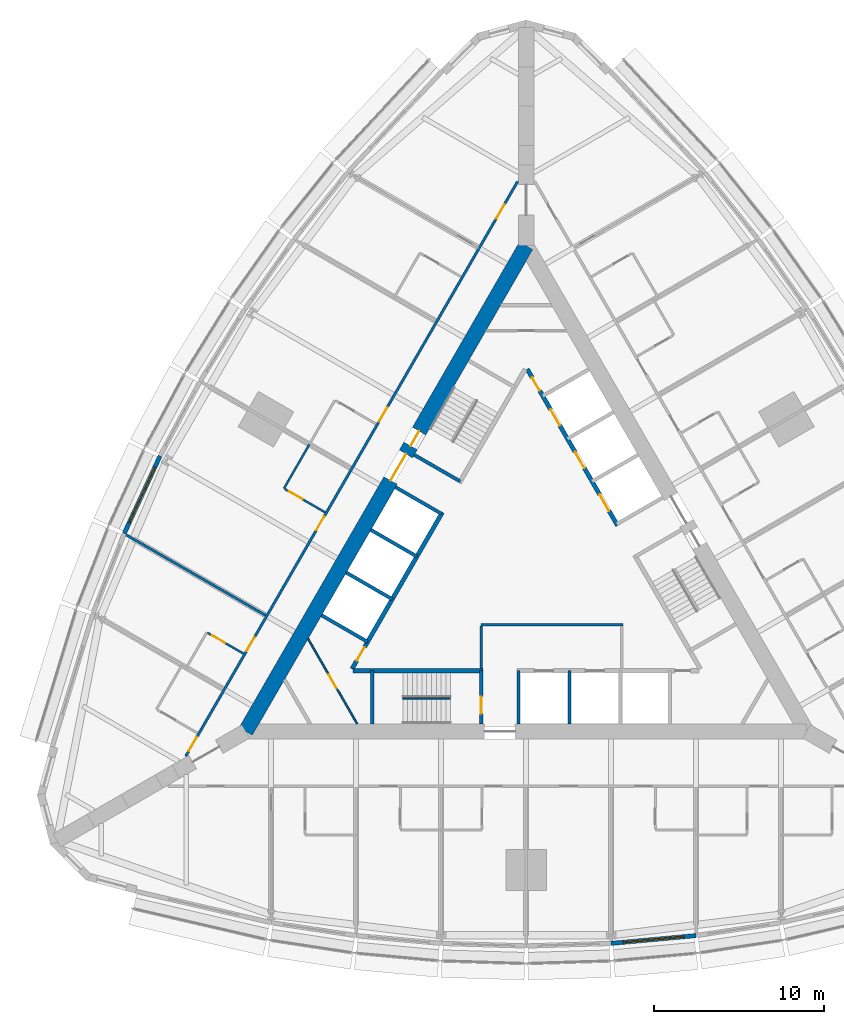
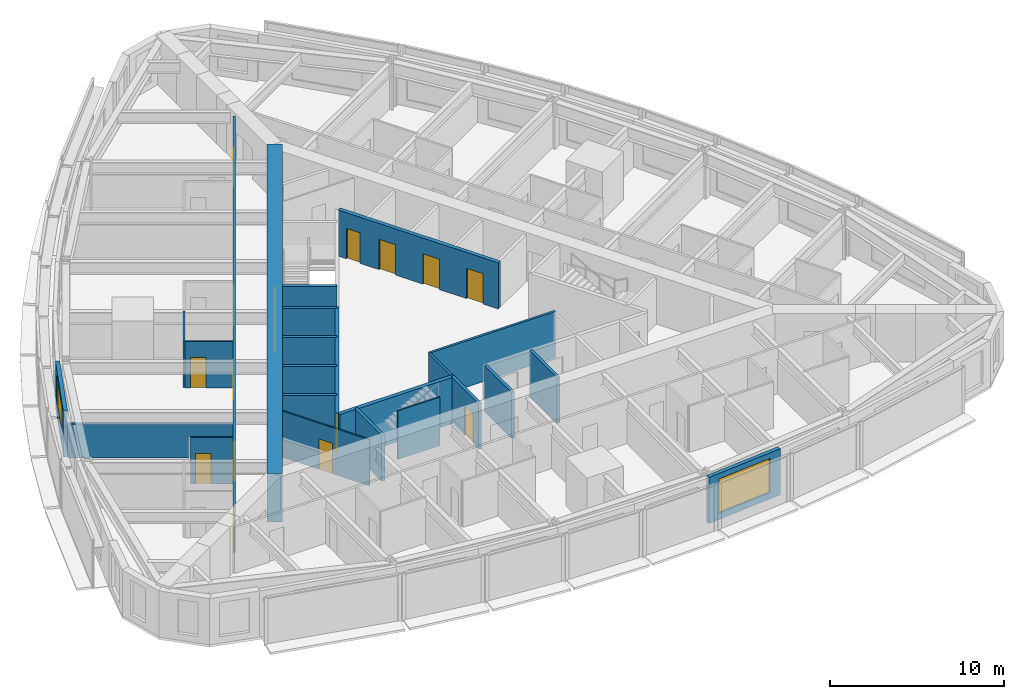
# One storey, part 9 of 14: 24 walls, 16 doors, 2 windows, 18 openings.
"""IFC4 building model written with IfcOpenShell, lengths in metres."""

from ifc_helpers import new_model, si_unit, direction, frame, frame_2d, origin, place, context, subcontext, project, spatial, rectangle, extrude, material, layer, layer_set, type_object, element, fill, save


model = new_model("IFC4")

# Units and contexts
model_context = context("Model", 3, precision=1e-05, world=origin(), true_north=direction((0.0, 1.0)))
body_context = subcontext(model_context, "Body", "Model", "MODEL_VIEW")
ifc_project = project(units=[si_unit("LENGTHUNIT", "METRE"), si_unit("AREAUNIT", "SQUARE_METRE"), si_unit("VOLUMEUNIT", "CUBIC_METRE"), si_unit("PLANEANGLEUNIT", "RADIAN"), si_unit("MASSUNIT", "GRAM", prefix="KILO")], contexts=[model_context])

# Site, building, storey
site_placement = place(None, origin())
site = spatial("IfcSite", under=ifc_project, at=site_placement, CompositionType="ELEMENT")
building_placement = place(site_placement, origin())
building = spatial("IfcBuilding", under=site, at=building_placement, Name="Trikona Tower", CompositionType="ELEMENT")
storey_placement = place(building_placement, frame((0.0, 0.0, 28.5)))
storey = spatial("IfcBuildingStorey", under=building, at=storey_placement, Name="L05", CompositionType="ELEMENT", Elevation=28.5)

# Wall
ifc_material_1 = material(Name="Metal stud and cement board", Category="gypsum")
ifc_layer_1 = layer(ifc_material_1, 0.1201171875)
ifc_layer_set_1 = layer_set([ifc_layer_1], Name="Bathroom wall 120")
wall_type_1 = type_object("IfcWallType", Name="Bathroom wall 120", PredefinedType="PLUMBINGWALL", material=ifc_layer_set_1)
wall_1_placement = place(storey_placement, frame((-12.75341796875, 7.363037109375, 0.0), z_axis=(0.0, 0.0, 1.0), x_axis=(-0.50002537861, -0.866010750942, 0.0)))
element("IfcWall", 1, at=wall_1_placement, inside=storey, type_object=wall_type_1, Name="Bathroom wall 0516", PredefinedType="PLUMBINGWALL", context=body_context, shape_type="SweptSolid", body=[
    extrude(rectangle(XDim=2.999755859375, YDim=0.1201171875, at=frame_2d((1.5, 0.0))), origin(), (0.0, 0.0, 1.0), 3.235107421875),
])

# Wall, opening, door
wall_2_placement = place(storey_placement, frame((-11.82861328125, 3.364990234375, 0.0), z_axis=(0.0, 0.0, 1.0), x_axis=(-0.865997131366, 0.500048966069, 0.0)))
wall_2 = element("IfcWall", 2, at=wall_2_placement, inside=storey, type_object=wall_type_1, Name="Bathroom wall 0516", PredefinedType="PLUMBINGWALL", context=body_context, shape_type="SweptSolid", body=[
    extrude(rectangle(XDim=2.739990234375, YDim=0.1201171875, at=frame_2d((1.3701171875, 0.0))), origin(), (0.0, 0.0, 1.0), 3.235107421875),
])
opening_1_placement = place(wall_2_placement, frame((1.550048828125, 0.0, 0.0)))
opening_1 = element("IfcOpeningElement", 3, at=opening_1_placement, cuts=wall_2, Name="Opening D2", PredefinedType="OPENING", context=body_context, shape_type="SweptSolid", body=[
    extrude(rectangle(XDim=0.89990234375, YDim=2.1298828125, at=frame_2d((0.449951171875, 1.06494140625))), frame((0.0, 0.070068359375, 0.0), z_axis=(0.0, -1.0, 0.0), x_axis=(1.0, 0.0, 0.0)), (0.0, 0.0, 1.0), 0.14013671875),
])
ifc_material_2 = material(Name="Steel door frame with solid-core timber leaf", Category="steel")
door_type_1 = type_object("IfcDoorType", Name="Bathroom door 900x2130", OperationType="SLIDING_TO_LEFT", PredefinedType="DOOR", material=ifc_material_2)
door_1_placement = place(opening_1_placement, origin())
door_1 = element("IfcDoor", 4, at=door_1_placement, inside=storey, type_object=door_type_1, Name="Bathroom door 0516", OperationType="SLIDING_TO_LEFT", OverallHeight=2.1298828125, OverallWidth=0.89990234375, PredefinedType="DOOR", context=body_context, shape_type="SweptSolid", body=[
    extrude(rectangle(XDim=0.89990234375, YDim=2.1298828125, at=frame_2d((0.449951171875, 1.06494140625))), frame((0.0, 0.02490234375, 0.0), z_axis=(0.0, -1.0, 0.0), x_axis=(1.0, 0.0, 0.0)), (0.0, 0.0, 1.0), 0.050048828125),
])
fill(opening_1, door_1)

wall_3_placement = place(storey_placement, frame((-16.62841796875, -4.94873046875, 0.0), z_axis=(0.0, 0.0, 1.0), x_axis=(-0.866048967903, 0.499959183527, 0.0)))
wall_3 = element("IfcWall", 5, at=wall_3_placement, inside=storey, type_object=wall_type_1, Name="Bathroom wall 0517", PredefinedType="PLUMBINGWALL", context=body_context, shape_type="SweptSolid", body=[
    extrude(rectangle(XDim=2.440185546875, YDim=0.1201171875, at=frame_2d((1.22021484375, 0.0))), origin(), (0.0, 0.0, 1.0), 3.235107421875),
])
opening_2_placement = place(wall_3_placement, frame((1.25, 0.0, 0.0)))
opening_2 = element("IfcOpeningElement", 6, at=opening_2_placement, cuts=wall_3, Name="Opening D2", PredefinedType="OPENING", context=body_context, shape_type="SweptSolid", body=[
    extrude(rectangle(XDim=0.89990234375, YDim=2.1298828125, at=frame_2d((0.449951171875, 1.06494140625))), frame((0.0, 0.070068359375, 0.0), z_axis=(0.0, -1.0, 0.0), x_axis=(1.0, 0.0, 0.0)), (0.0, 0.0, 1.0), 0.14013671875),
])
door_2_placement = place(opening_2_placement, origin())
door_2 = element("IfcDoor", 7, at=door_2_placement, inside=storey, type_object=door_type_1, Name="Bathroom door 0517", OperationType="SLIDING_TO_LEFT", OverallHeight=2.1298828125, OverallWidth=0.89990234375, PredefinedType="DOOR", context=body_context, shape_type="SweptSolid", body=[
    extrude(rectangle(XDim=0.89990234375, YDim=2.1298828125, at=frame_2d((0.449951171875, 1.06494140625))), frame((0.0, 0.02490234375, 0.0), z_axis=(0.0, -1.0, 0.0), x_axis=(1.0, 0.0, 0.0)), (0.0, 0.0, 1.0), 0.050048828125),
])
fill(opening_2, door_2)

# Wall, openings, doors
ifc_material_3 = material(Name="Concrete f'c 10000 psi", Category="concrete")
ifc_layer_2 = layer(ifc_material_3, 0.89990234375)
ifc_layer_set_2 = layer_set([ifc_layer_2], Name="Core wall 900")
wall_type_2 = type_object("IfcWallType", Name="Core wall 900", PredefinedType="SHEAR", material=ifc_layer_set_2)
wall_4_placement = place(storey_placement, frame((0.0, 19.052490234375, 0.0), z_axis=(0.0, 0.0, 1.0), x_axis=(-0.499999749417, -0.866025548458, 0.0)))
wall_4 = element("IfcWall", 8, at=wall_4_placement, inside=storey, type_object=wall_type_2, Name="Core wall C", PredefinedType="SHEAR", context=body_context, shape_type="SweptSolid", body=[
    extrude(rectangle(XDim=33.0, YDim=0.89990234375, at=frame_2d((16.5, 0.0))), origin(), (0.0, 0.0, 1.0), 3.39990234375),
])
opening_3_placement = place(wall_4_placement, frame((14.14990234375, 0.0, 0.0)))
opening_3 = element("IfcOpeningElement", 9, at=opening_3_placement, cuts=wall_4, Name="Opening D6", PredefinedType="OPENING", context=body_context, shape_type="SweptSolid", body=[
    extrude(rectangle(XDim=1.800048828125, YDim=2.1298828125, at=frame_2d((0.89990234375, 1.06494140625))), frame((0.0, 0.4599609375, 0.0), z_axis=(0.0, -1.0, 0.0), x_axis=(1.0, 0.0, 0.0)), (0.0, 0.0, 1.0), 0.919921875),
])
opening_4_placement = place(wall_4_placement, frame((12.60009765625, 0.0, 0.0)))
opening_4 = element("IfcOpeningElement", 10, at=opening_4_placement, cuts=wall_4, Name="Opening D5", PredefinedType="OPENING", context=body_context, shape_type="SweptSolid", body=[
    extrude(rectangle(XDim=1.0, YDim=2.1298828125, at=frame_2d((0.5, 1.06494140625))), frame((0.0, 0.4599609375, 0.0), z_axis=(0.0, -1.0, 0.0), x_axis=(1.0, 0.0, 0.0)), (0.0, 0.0, 1.0), 0.919921875),
])
ifc_material_4 = material(Name="Hollow metal door and frame", Category="steel")
door_type_2 = type_object("IfcDoorType", Name="Lobby door pair 1800x2130", OperationType="DOUBLE_DOOR_SINGLE_SWING", PredefinedType="DOOR", material=ifc_material_4)
door_3_placement = place(opening_3_placement, origin())
door_3 = element("IfcDoor", 11, at=door_3_placement, inside=storey, type_object=door_type_2, Name="Lift lobby door C", OperationType="DOUBLE_DOOR_SINGLE_SWING", OverallHeight=2.1298828125, OverallWidth=1.800048828125, PredefinedType="DOOR", context=body_context, shape_type="SweptSolid", body=[
    extrude(rectangle(XDim=1.800048828125, YDim=2.1298828125, at=frame_2d((0.89990234375, 1.06494140625))), frame((0.0, 0.02490234375, 0.0), z_axis=(0.0, -1.0, 0.0), x_axis=(1.0, 0.0, 0.0)), (0.0, 0.0, 1.0), 0.050048828125),
])
fill(opening_3, door_3)
ifc_material_5 = material(Name="Hollow metal door and frame", Category="steel")
door_type_3 = type_object("IfcDoorType", Name="Stair door 1000x2130", OperationType="SINGLE_SWING_LEFT", PredefinedType="DOOR", material=ifc_material_5)
door_4_placement = place(opening_4_placement, origin())
door_4 = element("IfcDoor", 12, at=door_4_placement, inside=storey, type_object=door_type_3, Name="Stair C door", OperationType="SINGLE_SWING_RIGHT", OverallHeight=2.1298828125, OverallWidth=1.0, PredefinedType="DOOR", context=body_context, shape_type="SweptSolid", body=[
    extrude(rectangle(XDim=1.0, YDim=2.1298828125, at=frame_2d((0.5, 1.06494140625))), frame((0.0, 0.02490234375, 0.0), z_axis=(0.0, -1.0, 0.0), x_axis=(1.0, 0.0, 0.0)), (0.0, 0.0, 1.0), 0.050048828125),
])
fill(opening_4, door_4)

ifc_material_6 = material(Name="Metal stud and gypsum board, 1-hour", Category="gypsum")
ifc_layer_3 = layer(ifc_material_6, 0.14990234375)
ifc_layer_set_3 = layer_set([ifc_layer_3], Name="Corridor wall 150")
wall_type_3 = type_object("IfcWallType", Name="Corridor wall 150", PredefinedType="PARTITIONING", material=ifc_layer_set_3)
wall_5_placement = place(storey_placement, frame((-0.5, 22.83642578125, 0.0), z_axis=(0.0, 0.0, 1.0), x_axis=(-0.500001677587, -0.866024435227, 0.0)))
wall_5 = element("IfcWall", 13, at=wall_5_placement, inside=storey, type_object=wall_type_3, Name="Corridor wall L05-3", PredefinedType="PARTITIONING", context=body_context, shape_type="SweptSolid", body=[
    extrude(rectangle(XDim=39.053955078125, YDim=0.14990234375, at=frame_2d((19.52685546875, 0.0))), origin(), (0.0, 0.0, 1.0), 3.235107421875),
])
opening_5_placement = place(wall_5_placement, frame((1.558349609375, 0.0, 0.0)))
opening_5 = element("IfcOpeningElement", 14, at=opening_5_placement, cuts=wall_5, Name="Opening D1", PredefinedType="OPENING", context=body_context, shape_type="SweptSolid", body=[
    extrude(rectangle(XDim=0.949951171875, YDim=2.1298828125, at=frame_2d((0.47509765625, 1.06494140625))), frame((0.0, 0.0849609375, 0.0), z_axis=(0.0, -1.0, 0.0), x_axis=(1.0, 0.0, 0.0)), (0.0, 0.0, 1.0), 0.169921875),
])
opening_6_placement = place(wall_5_placement, frame((15.35205078125, 0.0, 0.0)))
opening_6 = element("IfcOpeningElement", 15, at=opening_6_placement, cuts=wall_5, Name="Opening D1", PredefinedType="OPENING", context=body_context, shape_type="SweptSolid", body=[
    extrude(rectangle(XDim=0.949951171875, YDim=2.1298828125, at=frame_2d((0.47509765625, 1.06494140625))), frame((0.0, 0.0849609375, 0.0), z_axis=(0.0, -1.0, 0.0), x_axis=(1.0, 0.0, 0.0)), (0.0, 0.0, 1.0), 0.169921875),
])
opening_7_placement = place(wall_5_placement, frame((22.751953125, 0.0, 0.0)))
opening_7 = element("IfcOpeningElement", 16, at=opening_7_placement, cuts=wall_5, Name="Opening D1", PredefinedType="OPENING", context=body_context, shape_type="SweptSolid", body=[
    extrude(rectangle(XDim=0.949951171875, YDim=2.1298828125, at=frame_2d((0.47509765625, 1.06494140625))), frame((0.0, 0.0849609375, 0.0), z_axis=(0.0, -1.0, 0.0), x_axis=(1.0, 0.0, 0.0)), (0.0, 0.0, 1.0), 0.169921875),
])
opening_8_placement = place(wall_5_placement, frame((30.951904296875, 0.0, 0.0)))
opening_8 = element("IfcOpeningElement", 17, at=opening_8_placement, cuts=wall_5, Name="Opening D1", PredefinedType="OPENING", context=body_context, shape_type="SweptSolid", body=[
    extrude(rectangle(XDim=0.949951171875, YDim=2.1298828125, at=frame_2d((0.47509765625, 1.06494140625))), frame((0.0, 0.0849609375, 0.0), z_axis=(0.0, -1.0, 0.0), x_axis=(1.0, 0.0, 0.0)), (0.0, 0.0, 1.0), 0.169921875),
])
opening_9_placement = place(wall_5_placement, frame((37.751953125, 0.0, 0.0)))
opening_9 = element("IfcOpeningElement", 18, at=opening_9_placement, cuts=wall_5, Name="Opening D1", PredefinedType="OPENING", context=body_context, shape_type="SweptSolid", body=[
    extrude(rectangle(XDim=0.949951171875, YDim=2.1298828125, at=frame_2d((0.47509765625, 1.06494140625))), frame((0.0, 0.0849609375, 0.0), z_axis=(0.0, -1.0, 0.0), x_axis=(1.0, 0.0, 0.0)), (0.0, 0.0, 1.0), 0.169921875),
])
ifc_material_7 = material(Name="Steel door frame with solid-core timber leaf", Category="steel")
door_type_4 = type_object("IfcDoorType", Name="Guest room door 950x2130", OperationType="SINGLE_SWING_LEFT", PredefinedType="DOOR", material=ifc_material_7)
door_5_placement = place(opening_5_placement, origin())
door_5 = element("IfcDoor", 19, at=door_5_placement, inside=storey, type_object=door_type_4, Name="Room door 0514", OperationType="SINGLE_SWING_LEFT", OverallHeight=2.1298828125, OverallWidth=0.949951171875, PredefinedType="DOOR", context=body_context, shape_type="SweptSolid", body=[
    extrude(rectangle(XDim=0.949951171875, YDim=2.1298828125, at=frame_2d((0.47509765625, 1.06494140625))), frame((0.0, 0.02490234375, 0.0), z_axis=(0.0, -1.0, 0.0), x_axis=(1.0, 0.0, 0.0)), (0.0, 0.0, 1.0), 0.050048828125),
])
fill(opening_5, door_5)
door_6_placement = place(opening_6_placement, origin())
door_6 = element("IfcDoor", 20, at=door_6_placement, inside=storey, type_object=door_type_4, Name="Room door 0515", OperationType="SINGLE_SWING_RIGHT", OverallHeight=2.1298828125, OverallWidth=0.949951171875, PredefinedType="DOOR", context=body_context, shape_type="SweptSolid", body=[
    extrude(rectangle(XDim=0.949951171875, YDim=2.1298828125, at=frame_2d((0.47509765625, 1.06494140625))), frame((0.0, 0.02490234375, 0.0), z_axis=(0.0, -1.0, 0.0), x_axis=(1.0, 0.0, 0.0)), (0.0, 0.0, 1.0), 0.050048828125),
])
fill(opening_6, door_6)
door_7_placement = place(opening_7_placement, origin())
door_7 = element("IfcDoor", 21, at=door_7_placement, inside=storey, type_object=door_type_4, Name="Room door 0516", OperationType="SINGLE_SWING_LEFT", OverallHeight=2.1298828125, OverallWidth=0.949951171875, PredefinedType="DOOR", context=body_context, shape_type="SweptSolid", body=[
    extrude(rectangle(XDim=0.949951171875, YDim=2.1298828125, at=frame_2d((0.47509765625, 1.06494140625))), frame((0.0, 0.02490234375, 0.0), z_axis=(0.0, -1.0, 0.0), x_axis=(1.0, 0.0, 0.0)), (0.0, 0.0, 1.0), 0.050048828125),
])
fill(opening_7, door_7)
door_8_placement = place(opening_8_placement, origin())
door_8 = element("IfcDoor", 22, at=door_8_placement, inside=storey, type_object=door_type_4, Name="Room door 0517", OperationType="SINGLE_SWING_RIGHT", OverallHeight=2.1298828125, OverallWidth=0.949951171875, PredefinedType="DOOR", context=body_context, shape_type="SweptSolid", body=[
    extrude(rectangle(XDim=0.949951171875, YDim=2.1298828125, at=frame_2d((0.47509765625, 1.06494140625))), frame((0.0, 0.02490234375, 0.0), z_axis=(0.0, -1.0, 0.0), x_axis=(1.0, 0.0, 0.0)), (0.0, 0.0, 1.0), 0.050048828125),
])
fill(opening_8, door_8)
door_9_placement = place(opening_9_placement, origin())
door_9 = element("IfcDoor", 23, at=door_9_placement, inside=storey, type_object=door_type_4, Name="Room door 0518", OperationType="SINGLE_SWING_RIGHT", OverallHeight=2.1298828125, OverallWidth=0.949951171875, PredefinedType="DOOR", context=body_context, shape_type="SweptSolid", body=[
    extrude(rectangle(XDim=0.949951171875, YDim=2.1298828125, at=frame_2d((0.47509765625, 1.06494140625))), frame((0.0, 0.02490234375, 0.0), z_axis=(0.0, -1.0, 0.0), x_axis=(1.0, 0.0, 0.0)), (0.0, 0.0, 1.0), 0.050048828125),
])
fill(opening_9, door_9)

# Wall
ifc_material_8 = material(Name="Concrete f'c 8000 psi", Category="concrete")
ifc_layer_4 = layer(ifc_material_8, 0.25)
ifc_layer_set_4 = layer_set([ifc_layer_4], Name="Hub wall 250")
wall_type_4 = type_object("IfcWallType", Name="Hub wall 250", PredefinedType="SOLIDWALL", material=ifc_layer_set_4)
wall_6_placement = place(storey_placement, frame((-10.182861328125, -5.951416015625, 0.0), z_axis=(0.0, 0.0, 1.0), x_axis=(1.0, 0.0, 0.0)))
element("IfcWall", 24, at=wall_6_placement, inside=storey, type_object=wall_type_4, Name="Lift lobby wall A1", PredefinedType="SOLIDWALL", context=body_context, shape_type="SweptSolid", body=[
    extrude(rectangle(XDim=7.6328125, YDim=0.25, at=frame_2d((3.81640625, 0.0))), origin(), (0.0, 0.0, 1.0), 3.235107421875),
])

# Wall, openings, doors
wall_7_placement = place(storey_placement, frame((5.37890625, 2.5859375, 0.0), z_axis=(0.0, 0.0, 1.0), x_axis=(-0.500001375892, 0.866024609411, 0.0)))
wall_7 = element("IfcWall", 25, at=wall_7_placement, inside=storey, type_object=wall_type_4, Name="Lift lobby wall B2", PredefinedType="SOLIDWALL", context=body_context, shape_type="SweptSolid", body=[
    extrude(rectangle(XDim=10.6328125, YDim=0.25, at=frame_2d((5.31640625, 0.0))), origin(), (0.0, 0.0, 1.0), 3.235107421875),
])
opening_10_placement = place(wall_7_placement, frame((9.1640625, 0.0, 0.0)))
opening_10 = element("IfcOpeningElement", 26, at=opening_10_placement, cuts=wall_7, Name="Opening D14", PredefinedType="OPENING", context=body_context, shape_type="SweptSolid", body=[
    extrude(rectangle(XDim=0.89990234375, YDim=2.1298828125, at=frame_2d((0.449951171875, 1.06494140625))), frame((0.0, 0.135009765625, 0.0), z_axis=(0.0, -1.0, 0.0), x_axis=(1.0, 0.0, 0.0)), (0.0, 0.0, 1.0), 0.27001953125),
])
opening_11_placement = place(wall_7_placement, frame((1.0, 0.0, 0.0)))
opening_11 = element("IfcOpeningElement", 27, at=opening_11_placement, cuts=wall_7, Name="Opening LD", PredefinedType="OPENING", context=body_context, shape_type="SweptSolid", body=[
    extrude(rectangle(XDim=1.10009765625, YDim=2.1298828125, at=frame_2d((0.550048828125, 1.06494140625))), frame((0.0, 0.135009765625, 0.0), z_axis=(0.0, -1.0, 0.0), x_axis=(1.0, 0.0, 0.0)), (0.0, 0.0, 1.0), 0.27001953125),
])
opening_12_placement = place(wall_7_placement, frame((3.89990234375, 0.0, 0.0)))
opening_12 = element("IfcOpeningElement", 28, at=opening_12_placement, cuts=wall_7, Name="Opening LD", PredefinedType="OPENING", context=body_context, shape_type="SweptSolid", body=[
    extrude(rectangle(XDim=1.10009765625, YDim=2.1298828125, at=frame_2d((0.550048828125, 1.06494140625))), frame((0.0, 0.135009765625, 0.0), z_axis=(0.0, -1.0, 0.0), x_axis=(1.0, 0.0, 0.0)), (0.0, 0.0, 1.0), 0.27001953125),
])
opening_13_placement = place(wall_7_placement, frame((6.800048828125, 0.0, 0.0)))
opening_13 = element("IfcOpeningElement", 29, at=opening_13_placement, cuts=wall_7, Name="Opening LD", PredefinedType="OPENING", context=body_context, shape_type="SweptSolid", body=[
    extrude(rectangle(XDim=1.10009765625, YDim=2.1298828125, at=frame_2d((0.550048828125, 1.06494140625))), frame((0.0, 0.135009765625, 0.0), z_axis=(0.0, -1.0, 0.0), x_axis=(1.0, 0.0, 0.0)), (0.0, 0.0, 1.0), 0.27001953125),
])
ifc_material_9 = material(Name="Stainless steel lift landing door", Category="steel")
door_type_5 = type_object("IfcDoorType", Name="Lift landing door 1100x2130", OperationType="DOUBLE_DOOR_SLIDING", PredefinedType="USERDEFINED", material=ifc_material_9)
door_10_placement = place(opening_11_placement, origin())
door_10 = element("IfcDoor", 30, at=door_10_placement, inside=storey, type_object=door_type_5, Name="Lift landing door L1-1", ObjectType="LIFT LANDING DOOR", OperationType="DOUBLE_DOOR_SLIDING", OverallHeight=2.1298828125, OverallWidth=1.10009765625, PredefinedType="USERDEFINED", context=body_context, shape_type="SweptSolid", body=[
    extrude(rectangle(XDim=1.10009765625, YDim=2.1298828125, at=frame_2d((0.550048828125, 1.06494140625))), frame((0.0, 0.02490234375, 0.0), z_axis=(0.0, -1.0, 0.0), x_axis=(1.0, 0.0, 0.0)), (0.0, 0.0, 1.0), 0.050048828125),
])
fill(opening_11, door_10)
door_11_placement = place(opening_12_placement, origin())
door_11 = element("IfcDoor", 31, at=door_11_placement, inside=storey, type_object=door_type_5, Name="Lift landing door L1-2", ObjectType="LIFT LANDING DOOR", OperationType="DOUBLE_DOOR_SLIDING", OverallHeight=2.1298828125, OverallWidth=1.10009765625, PredefinedType="USERDEFINED", context=body_context, shape_type="SweptSolid", body=[
    extrude(rectangle(XDim=1.10009765625, YDim=2.1298828125, at=frame_2d((0.550048828125, 1.06494140625))), frame((0.0, 0.02490234375, 0.0), z_axis=(0.0, -1.0, 0.0), x_axis=(1.0, 0.0, 0.0)), (0.0, 0.0, 1.0), 0.050048828125),
])
fill(opening_12, door_11)
door_12_placement = place(opening_13_placement, origin())
door_12 = element("IfcDoor", 32, at=door_12_placement, inside=storey, type_object=door_type_5, Name="Lift landing door L1-3", ObjectType="LIFT LANDING DOOR", OperationType="DOUBLE_DOOR_SLIDING", OverallHeight=2.1298828125, OverallWidth=1.10009765625, PredefinedType="USERDEFINED", context=body_context, shape_type="SweptSolid", body=[
    extrude(rectangle(XDim=1.10009765625, YDim=2.1298828125, at=frame_2d((0.550048828125, 1.06494140625))), frame((0.0, 0.02490234375, 0.0), z_axis=(0.0, -1.0, 0.0), x_axis=(1.0, 0.0, 0.0)), (0.0, 0.0, 1.0), 0.050048828125),
])
fill(opening_13, door_12)
ifc_material_10 = material(Name="Hollow metal door and frame", Category="steel")
door_type_6 = type_object("IfcDoorType", Name="Service room door 900x2130", OperationType="SINGLE_SWING_LEFT", PredefinedType="DOOR", material=ifc_material_10)
door_13_placement = place(opening_10_placement, origin())
door_13 = element("IfcDoor", 33, at=door_13_placement, inside=storey, type_object=door_type_6, Name="Door Housekeeping store HKS", OperationType="SINGLE_SWING_RIGHT", OverallHeight=2.1298828125, OverallWidth=0.89990234375, PredefinedType="DOOR", context=body_context, shape_type="SweptSolid", body=[
    extrude(rectangle(XDim=0.89990234375, YDim=2.1298828125, at=frame_2d((0.449951171875, 1.06494140625))), frame((0.0, 0.02490234375, 0.0), z_axis=(0.0, -1.0, 0.0), x_axis=(1.0, 0.0, 0.0)), (0.0, 0.0, 1.0), 0.050048828125),
])
fill(opening_10, door_13)

# Wall, opening, door
wall_8_placement = place(storey_placement, frame((-4.928955078125, 3.365478515625, 0.0), z_axis=(0.0, 0.0, 1.0), x_axis=(-0.499991433582, -0.866030349552, 0.0)))
wall_8 = element("IfcWall", 34, at=wall_8_placement, inside=storey, type_object=wall_type_4, Name="Lift lobby wall C2", PredefinedType="SOLIDWALL", context=body_context, shape_type="SweptSolid", body=[
    extrude(rectangle(XDim=10.633056640625, YDim=0.25, at=frame_2d((5.31640625, 0.0))), origin(), (0.0, 0.0, 1.0), 3.235107421875),
])
opening_14_placement = place(wall_8_placement, frame((9.1640625, 0.0, 0.0)))
opening_14 = element("IfcOpeningElement", 35, at=opening_14_placement, cuts=wall_8, Name="Opening D14", PredefinedType="OPENING", context=body_context, shape_type="SweptSolid", body=[
    extrude(rectangle(XDim=0.89990234375, YDim=2.1298828125, at=frame_2d((0.449951171875, 1.06494140625))), frame((0.0, 0.135009765625, 0.0), z_axis=(0.0, -1.0, 0.0), x_axis=(1.0, 0.0, 0.0)), (0.0, 0.0, 1.0), 0.27001953125),
])
door_14_placement = place(opening_14_placement, origin())
door_14 = element("IfcDoor", 36, at=door_14_placement, inside=storey, type_object=door_type_6, Name="Door Ice and vending ICE", OperationType="SINGLE_SWING_RIGHT", OverallHeight=2.1298828125, OverallWidth=0.89990234375, PredefinedType="DOOR", context=body_context, shape_type="SweptSolid", body=[
    extrude(rectangle(XDim=0.89990234375, YDim=2.1298828125, at=frame_2d((0.449951171875, 1.06494140625))), frame((0.0, 0.02490234375, 0.0), z_axis=(0.0, -1.0, 0.0), x_axis=(1.0, 0.0, 0.0)), (0.0, 0.0, 1.0), 0.050048828125),
])
fill(opening_14, door_14)

# Wall, opening, window
ifc_material_11 = material(Name="Insulated precast concrete spandrel panel", Category="concrete")
ifc_layer_5 = layer(ifc_material_11, 0.25)
ifc_layer_set_5 = layer_set([ifc_layer_5], Name="Inner skin wall 250")
wall_type_5 = type_object("IfcWallType", Name="Inner skin wall 250", PredefinedType="STANDARD", material=ifc_layer_set_5)
wall_9_placement = place(storey_placement, frame((4.988525390625, -21.995849609375, 0.0), z_axis=(0.0, 0.0, 1.0), x_axis=(0.995857256774, 0.090930325692, 0.0)))
wall_9 = element("IfcWall", 37, at=wall_9_placement, inside=storey, type_object=wall_type_5, Name="External wall L05-05", PredefinedType="STANDARD", context=body_context, shape_type="SweptSolid", body=[
    extrude(rectangle(XDim=5.020751953125, YDim=0.25, at=frame_2d((2.51025390625, 0.0))), origin(), (0.0, 0.0, 1.0), 3.235107421875),
])
opening_15_placement = place(wall_9_placement, frame((0.71044921875, 0.0, 0.449951171875)))
opening_15 = element("IfcOpeningElement", 38, at=opening_15_placement, cuts=wall_9, Name="Opening W3624", PredefinedType="OPENING", context=body_context, shape_type="SweptSolid", body=[
    extrude(rectangle(XDim=3.60009765625, YDim=2.39990234375, at=frame_2d((1.800048828125, 1.199951171875))), frame((0.0, 0.135009765625, 0.0), z_axis=(0.0, -1.0, 0.0), x_axis=(1.0, 0.0, 0.0)), (0.0, 0.0, 1.0), 0.27001953125),
])
ifc_material_12 = material(Name="Aluminium-framed double glazing", Category="aluminium")
window_type = type_object("IfcWindowType", Name="Window 3600x2400", PartitioningType="SINGLE_PANEL", PredefinedType="WINDOW", material=ifc_material_12)
window_1_placement = place(opening_15_placement, origin())
window_1 = element("IfcWindow", 39, at=window_1_placement, inside=storey, type_object=window_type, Name="Window 0504", OverallHeight=2.39990234375, OverallWidth=3.60009765625, PartitioningType="SINGLE_PANEL", PredefinedType="WINDOW", context=body_context, shape_type="SweptSolid", body=[
    extrude(rectangle(XDim=3.60009765625, YDim=2.39990234375, at=frame_2d((1.800048828125, 1.199951171875))), frame((0.0, 0.030029296875, 0.0), z_axis=(0.0, -1.0, 0.0), x_axis=(1.0, 0.0, 0.0)), (0.0, 0.0, 1.0), 0.06005859375),
])
fill(opening_15, window_1)

wall_10_placement = place(storey_placement, frame((-21.543212890625, 6.677734375, 0.0), z_axis=(0.0, 0.0, 1.0), x_axis=(-0.419203100754, -0.907892482796, 0.0)))
wall_10 = element("IfcWall", 40, at=wall_10_placement, inside=storey, type_object=wall_type_5, Name="External wall L05-29", PredefinedType="STANDARD", context=body_context, shape_type="SweptSolid", body=[
    extrude(rectangle(XDim=5.020751953125, YDim=0.25, at=frame_2d((2.51025390625, 0.0))), origin(), (0.0, 0.0, 1.0), 3.235107421875),
])
opening_16_placement = place(wall_10_placement, frame((0.71044921875, 0.0, 0.449951171875)))
opening_16 = element("IfcOpeningElement", 41, at=opening_16_placement, cuts=wall_10, Name="Opening W3624", PredefinedType="OPENING", context=body_context, shape_type="SweptSolid", body=[
    extrude(rectangle(XDim=3.60009765625, YDim=2.39990234375, at=frame_2d((1.800048828125, 1.199951171875))), frame((0.0, 0.135009765625, 0.0), z_axis=(0.0, -1.0, 0.0), x_axis=(1.0, 0.0, 0.0)), (0.0, 0.0, 1.0), 0.27001953125),
])
window_2_placement = place(opening_16_placement, origin())
window_2 = element("IfcWindow", 42, at=window_2_placement, inside=storey, type_object=window_type, Name="Window 0516", OverallHeight=2.39990234375, OverallWidth=3.60009765625, PartitioningType="SINGLE_PANEL", PredefinedType="WINDOW", context=body_context, shape_type="SweptSolid", body=[
    extrude(rectangle(XDim=3.60009765625, YDim=2.39990234375, at=frame_2d((1.800048828125, 1.199951171875))), frame((0.0, 0.030029296875, 0.0), z_axis=(0.0, -1.0, 0.0), x_axis=(1.0, 0.0, 0.0)), (0.0, 0.0, 1.0), 0.06005859375),
])
fill(opening_16, window_2)

# Walls
ifc_material_13 = material(Name="Metal stud and gypsum board, 2-hour shaft wall", Category="gypsum")
ifc_layer_6 = layer(ifc_material_13, 0.14990234375)
ifc_layer_set_6 = layer_set([ifc_layer_6], Name="Lobby wall 150")
wall_type_6 = type_object("IfcWallType", Name="Lobby wall 150", PredefinedType="PARTITIONING", material=ifc_layer_set_6)
wall_11_placement = place(storey_placement, frame((-2.64990234375, -3.251220703125, 0.0), z_axis=(0.0, 0.0, 1.0), x_axis=(1.0, 0.0, 0.0)))
element("IfcWall", 43, at=wall_11_placement, inside=storey, type_object=wall_type_6, Name="Fire service lift lobby wall 1", PredefinedType="PARTITIONING", context=body_context, shape_type="SweptSolid", body=[
    extrude(rectangle(XDim=8.349853515625, YDim=0.14990234375, at=frame_2d((4.1748046875, 0.0))), origin(), (0.0, 0.0, 1.0), 3.235107421875),
])
wall_12_placement = place(storey_placement, frame((-2.64990234375, -5.826416015625, 0.0), z_axis=(0.0, 0.0, 1.0), x_axis=(0.0, 1.0, 0.0)))
element("IfcWall", 44, at=wall_12_placement, inside=storey, type_object=wall_type_6, Name="Fire service lift lobby wall 2", PredefinedType="PARTITIONING", context=body_context, shape_type="SweptSolid", body=[
    extrude(rectangle(XDim=2.5, YDim=0.14990234375, at=frame_2d((1.25, 0.0))), origin(), (0.0, 0.0, 1.0), 3.235107421875),
])
ifc_material_14 = material(Name="Metal stud and gypsum board, 1-hour acoustic", Category="gypsum")
ifc_layer_7 = layer(ifc_material_14, 0.14990234375)
ifc_layer_set_7 = layer_set([ifc_layer_7], Name="Party wall 150")
wall_type_7 = type_object("IfcWallType", Name="Party wall 150", PredefinedType="PARTITIONING", material=ifc_layer_set_7)
wall_13_placement = place(storey_placement, frame((-15.32861328125, -2.697021484375, 0.0), z_axis=(0.0, 0.0, 1.0), x_axis=(-0.866018409083, 0.500012114982, 0.0)))
element("IfcWall", 45, at=wall_13_placement, inside=storey, type_object=wall_type_7, Name="Partition L05 F3 u10", PredefinedType="PARTITIONING", context=body_context, shape_type="SweptSolid", body=[
    extrude(rectangle(XDim=9.484619140625, YDim=0.14990234375, at=frame_2d((4.7421875, 0.0))), origin(), (0.0, 0.0, 1.0), 2.38916015625),
])
ifc_material_15 = material(Name="Concrete f'c 8000 psi", Category="concrete")
ifc_layer_8 = layer(ifc_material_15, 0.199951171875)
ifc_layer_set_8 = layer_set([ifc_layer_8], Name="Shaft wall 200")
wall_type_8 = type_object("IfcWallType", Name="Shaft wall 200", PredefinedType="SOLIDWALL", material=ifc_layer_set_8)
for number, where, z_axis, x_axis, name in (
    (46, (-0.449951171875, -5.951416015625, 0.0), (0.0, 0.0, 1.0), (0.0, -1.0, 0.0), "Shaft wall A3"),
    (47, (2.550048828125, -5.951416015625, 0.0), (0.0, 0.0, 1.0), (0.0, -1.0, 0.0), "Shaft wall A4"),
    (48, (-4.97900390625, 3.27880859375, 0.0), (0.0, 0.0, 1.0), (-0.866022959057, 0.500004234368, 0.0), "Shaft wall C3"),
    (49, (-6.428955078125, 0.767333984375, 0.0), (0.0, 0.0, 1.0), (-0.866022959057, 0.500004234368, 0.0), "Shaft wall C4"),
    (50, (-7.87890625, -1.744140625, 0.0), (0.0, 0.0, 1.0), (-0.866022959057, 0.500004234368, 0.0), "Shaft wall C5"),
    (51, (-9.3291015625, -4.255615234375, 0.0), (0.0, 0.0, 1.0), (-0.866022959057, 0.500004234368, 0.0), "Shaft wall C6"),
):
    element("IfcWall", number, at=place(storey_placement, frame(where, z_axis=z_axis, x_axis=x_axis)), inside=storey, type_object=wall_type_8, Name=name, PredefinedType="SOLIDWALL", context=body_context, shape_type="SweptSolid", body=[
        extrude(rectangle(XDim=3.125, YDim=0.199951171875, at=frame_2d((1.5625, 0.0))), origin(), (0.0, 0.0, 1.0), 3.235107421875),
    ])
ifc_material_16 = material(Name="Concrete f'c 8000 psi", Category="concrete")
ifc_layer_9 = layer(ifc_material_16, 0.199951171875)
ifc_layer_set_9 = layer_set([ifc_layer_9], Name="Shaft wall 200 load-bearing")
wall_type_9 = type_object("IfcWallType", Name="Shaft wall 200 load-bearing", PredefinedType="SOLIDWALL", material=ifc_layer_set_9)
wall_14_placement = place(storey_placement, frame((-9.050048828125, -5.951416015625, 0.0), z_axis=(0.0, 0.0, 1.0), x_axis=(0.0, -1.0, 0.0)))
element("IfcWall", 52, at=wall_14_placement, inside=storey, type_object=wall_type_9, Name="Shaft wall A1", PredefinedType="SOLIDWALL", context=body_context, shape_type="SweptSolid", body=[
    extrude(rectangle(XDim=3.125, YDim=0.199951171875, at=frame_2d((1.5625, 0.0))), origin(), (0.0, 0.0, 1.0), 3.235107421875),
])

# Wall, opening, door
wall_15_placement = place(storey_placement, frame((-2.64990234375, -5.951416015625, 0.0), z_axis=(0.0, 0.0, 1.0), x_axis=(0.0, -1.0, 0.0)))
wall_15 = element("IfcWall", 53, at=wall_15_placement, inside=storey, type_object=wall_type_9, Name="Shaft wall A2", PredefinedType="SOLIDWALL", context=body_context, shape_type="SweptSolid", body=[
    extrude(rectangle(XDim=3.125, YDim=0.199951171875, at=frame_2d((1.5625, 0.0))), origin(), (0.0, 0.0, 1.0), 3.235107421875),
])
opening_17_placement = place(wall_15_placement, frame((1.52490234375, 0.0, 0.0)))
opening_17 = element("IfcOpeningElement", 54, at=opening_17_placement, cuts=wall_15, Name="Opening D5", PredefinedType="OPENING", context=body_context, shape_type="SweptSolid", body=[
    extrude(rectangle(XDim=1.0, YDim=2.1298828125, at=frame_2d((0.5, 1.06494140625))), frame((0.0, 0.10986328125, 0.0), z_axis=(0.0, -1.0, 0.0), x_axis=(1.0, 0.0, 0.0)), (0.0, 0.0, 1.0), 0.219970703125),
])
door_15_placement = place(opening_17_placement, origin())
door_15 = element("IfcDoor", 55, at=door_15_placement, inside=storey, type_object=door_type_3, Name="Stair A door", OperationType="SINGLE_SWING_RIGHT", OverallHeight=2.1298828125, OverallWidth=1.0, PredefinedType="DOOR", context=body_context, shape_type="SweptSolid", body=[
    extrude(rectangle(XDim=1.0, YDim=2.1298828125, at=frame_2d((0.5, 1.06494140625))), frame((0.0, 0.02490234375, 0.0), z_axis=(0.0, -1.0, 0.0), x_axis=(1.0, 0.0, 0.0)), (0.0, 0.0, 1.0), 0.050048828125),
])
fill(opening_17, door_15)

# Walls
wall_16_placement = place(storey_placement, frame((-3.87890625, 5.18408203125, 0.0), z_axis=(0.0, 0.0, 1.0), x_axis=(-0.866022959057, 0.500004234368, 0.0)))
element("IfcWall", 56, at=wall_16_placement, inside=storey, type_object=wall_type_9, Name="Shaft wall C2", PredefinedType="SOLIDWALL", context=body_context, shape_type="SweptSolid", body=[
    extrude(rectangle(XDim=3.125, YDim=0.199951171875, at=frame_2d((1.5625, 0.0))), origin(), (0.0, 0.0, 1.0), 3.235107421875),
])
ifc_material_17 = material(Name="Concrete f'c 5000 psi", Category="concrete")
ifc_layer_10 = layer(ifc_material_17, 0.10009765625)
ifc_layer_set_10 = layer_set([ifc_layer_10], Name="Stair spine wall 100")
wall_type_10 = type_object("IfcWallType", Name="Stair spine wall 100", PredefinedType="SOLIDWALL", material=ifc_layer_set_10)
wall_17_placement = place(storey_placement, frame((-7.2470703125, -7.576416015625, 0.0), z_axis=(0.0, 0.0, 1.0), x_axis=(1.0, 0.0, 0.0)))
element("IfcWall", 57, at=wall_17_placement, inside=storey, type_object=wall_type_10, Name="Stair A spine wall L05", PredefinedType="SOLIDWALL", context=body_context, shape_type="SweptSolid", body=[
    extrude(rectangle(XDim=2.794189453125, YDim=0.10009765625, at=frame_2d((1.39697265625, 0.0))), origin(), (0.0, 0.0, 1.0), 3.39990234375),
])

# Wall, opening, door
ifc_material_18 = material(Name="Metal stud and gypsum board, acoustic", Category="gypsum")
ifc_layer_11 = layer(ifc_material_18, 0.10009765625)
ifc_layer_set_11 = layer_set([ifc_layer_11], Name="Suite partition 100")
wall_type_11 = type_object("IfcWallType", Name="Suite partition 100", PredefinedType="PARTITIONING", material=ifc_layer_set_11)
wall_18_placement = place(storey_placement, frame((-9.947021484375, -9.076416015625, 0.0), z_axis=(0.0, 0.0, 1.0), x_axis=(-0.500027479704, 0.866009537788, 0.0)))
wall_18 = element("IfcWall", 58, at=wall_18_placement, inside=storey, type_object=wall_type_11, Name="Store partition L05-RS3", PredefinedType="PARTITIONING", context=body_context, shape_type="SweptSolid", body=[
    extrude(rectangle(XDim=5.773681640625, YDim=0.10009765625, at=frame_2d((2.88671875, 0.0))), origin(), (0.0, 0.0, 1.0), 3.235107421875),
])
opening_18_placement = place(wall_18_placement, frame((2.436767578125, 0.0, 0.0)))
opening_18 = element("IfcOpeningElement", 59, at=opening_18_placement, cuts=wall_18, Name="Opening D15", PredefinedType="OPENING", context=body_context, shape_type="SweptSolid", body=[
    extrude(rectangle(XDim=0.89990234375, YDim=2.1298828125, at=frame_2d((0.449951171875, 1.06494140625))), frame((0.0, 0.06005859375, 0.0), z_axis=(0.0, -1.0, 0.0), x_axis=(1.0, 0.0, 0.0)), (0.0, 0.0, 1.0), 0.1201171875),
])
ifc_material_19 = material(Name="Steel door frame with solid-core timber leaf", Category="steel")
door_type_7 = type_object("IfcDoorType", Name="Store door 900x2130", OperationType="SINGLE_SWING_LEFT", PredefinedType="DOOR", material=ifc_material_19)
door_16_placement = place(opening_18_placement, origin())
door_16 = element("IfcDoor", 60, at=door_16_placement, inside=storey, type_object=door_type_7, Name="Door Cleaner's store CLN", OperationType="SINGLE_SWING_RIGHT", OverallHeight=2.1298828125, OverallWidth=0.89990234375, PredefinedType="DOOR", context=body_context, shape_type="SweptSolid", body=[
    extrude(rectangle(XDim=0.89990234375, YDim=2.1298828125, at=frame_2d((0.449951171875, 1.06494140625))), frame((0.0, 0.02490234375, 0.0), z_axis=(0.0, -1.0, 0.0), x_axis=(1.0, 0.0, 0.0)), (0.0, 0.0, 1.0), 0.050048828125),
])
fill(opening_18, door_16)

save(model, "model.ifc")
